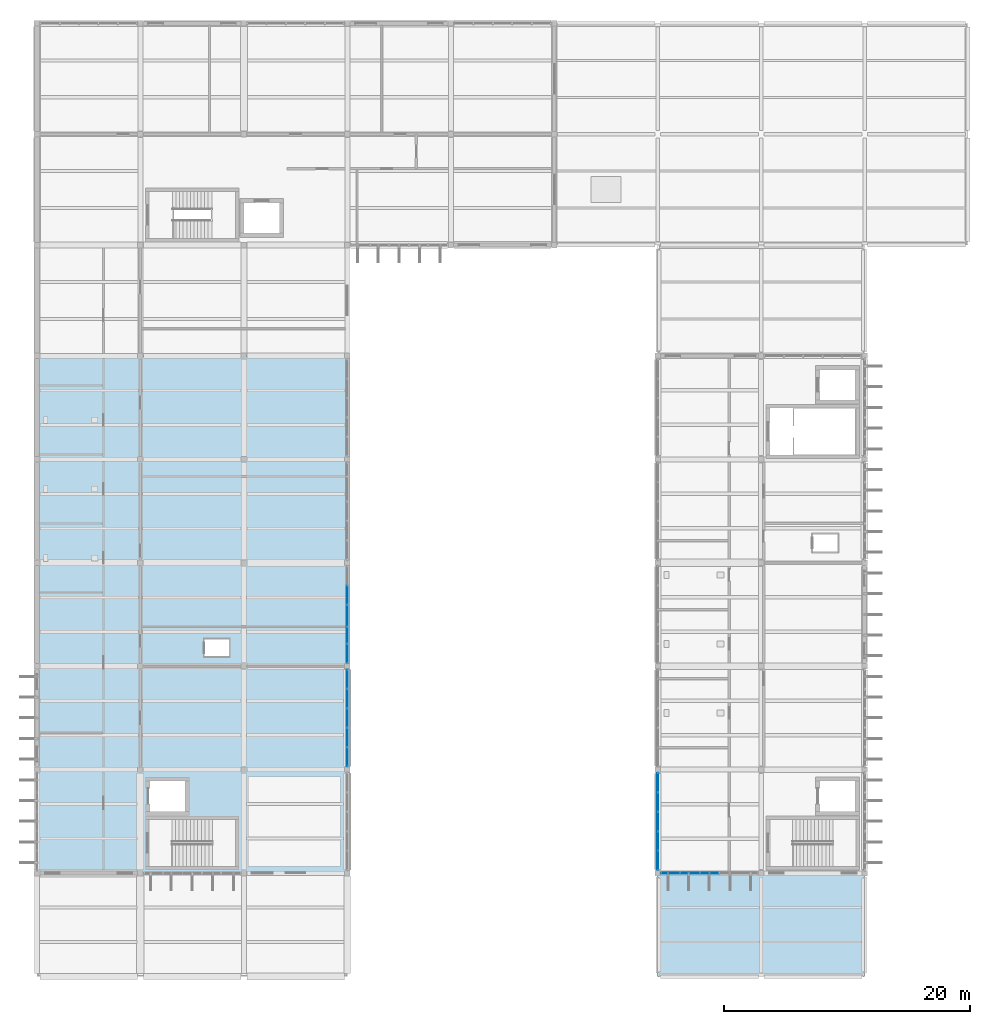
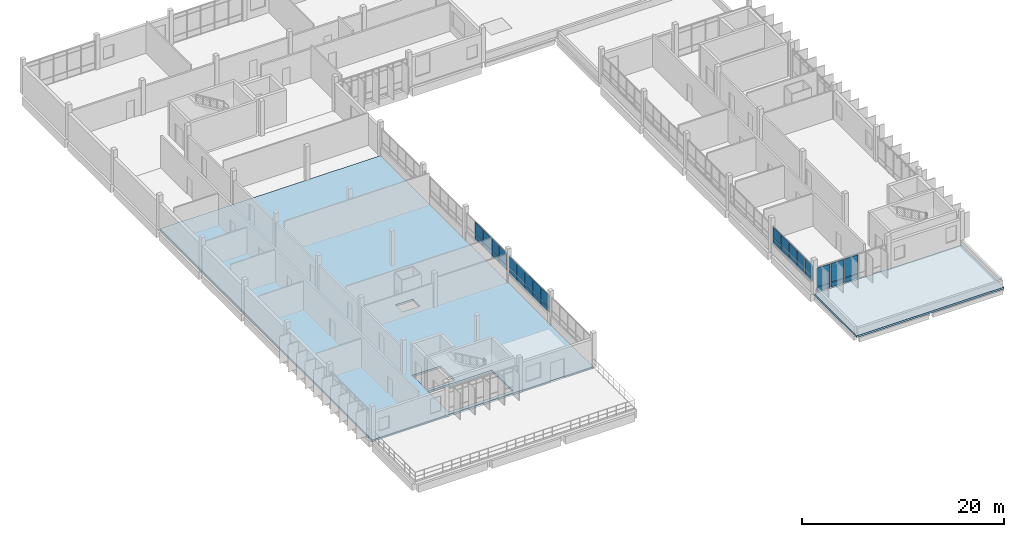
# One storey, part 44 of 62: 34 plates, 2 slabs, 3 openings, 4 elements without a shape of their own.
"""IFC4 building model written with IfcOpenShell, lengths in metres."""

import ifcopenshell
import ifcopenshell.guid

model = None  # the IFC model being written
_history = None  # IfcOwnerHistory: only IFC2X3 demands one
_inside = {}  # id of a spatial element -> (the spatial element, [elements in it])
_under = {}  # id of a project, library or spatial element -> (it, [spatial elements below it])
_declared = {}  # id of a project -> (the project, [libraries it declares])
_typed = {}  # id of a type object -> (the type object, [elements of that type])
_made_of = {}  # id of a material, layer set ... -> (it, [elements and type objects made of it])


def new_model(schema):
    """Start an empty IFC model of exactly this schema.

    Asked for "IFC4X3", IfcOpenShell would pick the latest addendum, in which some entities
    have other attributes; the version numbers below select the first issue.
    IFC2X3 requires an IfcOwnerHistory on every rooted entity: one is made here for all.
    """
    global model, _history
    if schema == "IFC4X3":
        model = ifcopenshell.file(schema_version=(4, 3, 0, 0))
    else:
        model = ifcopenshell.file(schema=schema)
    _inside.clear()
    _under.clear()
    _declared.clear()
    _typed.clear()
    _made_of.clear()
    _history = None
    if model.schema == "IFC2X3":
        org = make("IfcOrganization", Name="unknown")
        user = make(
            "IfcPersonAndOrganization",
            ThePerson=make("IfcPerson", FamilyName="unknown"),
            TheOrganization=org,
        )
        app = make(
            "IfcApplication",
            ApplicationDeveloper=org,
            Version="unknown",
            ApplicationFullName="unknown",
            ApplicationIdentifier="unknown",
        )
        _history = make(
            "IfcOwnerHistory",
            OwningUser=user,
            OwningApplication=app,
            ChangeAction="ADDED",
            CreationDate=0,
        )
    return model


def make(cls, **values):
    """One entity of the class cls with the attributes given. An attribute that is None is left unset."""
    return model.create_entity(
        cls, **{name: value for name, value in values.items() if value is not None}
    )


def rooted(cls, **values):
    """An entity with a GlobalId (a new one), such as an element, a storey or a relation."""
    return make(cls, GlobalId=ifcopenshell.guid.new(), OwnerHistory=_history, **values)


def si_unit(unit_type, name, prefix=None):
    """IfcSIUnit, for example si_unit("LENGTHUNIT", "METRE", prefix="MILLI")."""
    return make("IfcSIUnit", UnitType=unit_type, Prefix=prefix, Name=name)


def assignment(units):
    """IfcUnitAssignment: the units of a project."""
    return None if units is None else make("IfcUnitAssignment", Units=units)


def point(xyz):
    """IfcCartesianPoint."""
    return None if xyz is None else make("IfcCartesianPoint", Coordinates=xyz)


def direction(xyz):
    """IfcDirection."""
    return None if xyz is None else make("IfcDirection", DirectionRatios=xyz)


def frame(location, z_axis=None, x_axis=None):
    """IfcAxis2Placement3D, a coordinate frame: its origin and axes. An axis left out is left unset."""
    return make(
        "IfcAxis2Placement3D",
        Location=point(location),
        Axis=direction(z_axis),
        RefDirection=direction(x_axis),
    )


def frame_2d(location, x_axis=None):
    """IfcAxis2Placement2D, a coordinate frame in the plane: its origin and x axis."""
    return make(
        "IfcAxis2Placement2D", Location=point(location), RefDirection=direction(x_axis)
    )


def origin():
    """The frame at (0, 0, 0) with its axes left unset."""
    return frame((0.0, 0.0, 0.0))


def origin_2d():
    """The frame at (0, 0) in the plane with its x axis left unset."""
    return frame_2d((0.0, 0.0))


def place(relative_to, where):
    """IfcLocalPlacement: puts the frame where relative to a parent placement (None: the world)."""
    return make(
        "IfcLocalPlacement", PlacementRelTo=relative_to, RelativePlacement=where
    )


def context(
    kind, dimensions, precision=None, world=None, true_north=None, identifier=None
):
    """IfcGeometricRepresentationContext, for example the 3D "Model" context."""
    return make(
        "IfcGeometricRepresentationContext",
        ContextIdentifier=identifier,
        ContextType=kind,
        CoordinateSpaceDimension=dimensions,
        Precision=precision,
        WorldCoordinateSystem=world,
        TrueNorth=true_north,
    )


def subcontext(parent, identifier, kind, view, scale=None):
    """IfcGeometricRepresentationSubContext, for example "Body" below "Model"."""
    return make(
        "IfcGeometricRepresentationSubContext",
        ContextIdentifier=identifier,
        ContextType=kind,
        ParentContext=parent,
        TargetScale=scale,
        TargetView=view,
    )


def project(units=None, contexts=None):
    """IfcProject with its units and contexts."""
    return rooted(
        "IfcProject",
        Name="project",
        RepresentationContexts=contexts,
        UnitsInContext=assignment(units),
    )


def spatial(cls, under=None, at=None, **own):
    """A site, building, storey or space (cls), placed at a placement, below another one or the project."""
    s = rooted(cls, ObjectPlacement=at, **own)
    if under is not None:
        _under.setdefault(under.id(), (under, []))[1].append(s)
    return s


def polyline(points):
    """IfcPolyline through the points."""
    return make("IfcPolyline", Points=[point(p) for p in points])


def profile(cls, at=None, kind="AREA", **sizes):
    """A parametric profile (cls). Its sizes go by their IFC names, for example OverallWidth=200.0."""
    return make(cls, ProfileType=kind, Position=at, **sizes)


def rectangle(**sizes):
    """IfcRectangleProfileDef."""
    return profile("IfcRectangleProfileDef", **sizes)


def outline(outer, holes=None, kind="AREA"):
    """IfcArbitraryClosedProfileDef: a profile drawn as a closed curve; with holes, ...WithVoids."""
    if holes is None:
        return make("IfcArbitraryClosedProfileDef", ProfileType=kind, OuterCurve=outer)
    return make(
        "IfcArbitraryProfileDefWithVoids",
        ProfileType=kind,
        OuterCurve=outer,
        InnerCurves=holes,
    )


def extrude(swept, where, along, depth):
    """IfcExtrudedAreaSolid: the profile swept, set in the frame where, extruded along a direction by depth."""
    return make(
        "IfcExtrudedAreaSolid",
        SweptArea=swept,
        Position=where,
        ExtrudedDirection=direction(along),
        Depth=depth,
    )


def shape(context_of_items, identifier, shape_type, items):
    """IfcShapeRepresentation: the items that make up one representation, for example the "Body"."""
    return make(
        "IfcShapeRepresentation",
        ContextOfItems=context_of_items,
        RepresentationIdentifier=identifier,
        RepresentationType=shape_type,
        Items=items,
    )


def material(Name=None, Category=None):
    """IfcMaterial."""
    return make("IfcMaterial", Name=Name, Category=Category)


def layer(
    of_material, thickness, ventilated=None, Name=None, Category=None, Priority=None
):
    """IfcMaterialLayer: one layer of a wall or slab, of a material (None: an air gap)."""
    return make(
        "IfcMaterialLayer",
        Material=of_material,
        LayerThickness=thickness,
        IsVentilated=ventilated,
        Name=Name,
        Category=Category,
        Priority=Priority,
    )


def layer_set(layers, Name=None):
    """IfcMaterialLayerSet."""
    return make("IfcMaterialLayerSet", MaterialLayers=layers, LayerSetName=Name)


def made_of(thing, what):
    """Note that an element or type object is made of a material, layer set ...; save() writes the relation."""
    if what is not None:
        _made_of.setdefault(what.id(), (what, []))[1].append(thing)
    return thing


def type_object(cls, material=None, **own):
    """A type object (cls), such as IfcWallType, which elements share."""
    return made_of(rooted(cls, **own), material)


def element(
    cls,
    number,
    at=None,
    inside=None,
    cuts=None,
    type_object=None,
    material=None,
    context=None,
    identifier="Body",
    shape_type=None,
    held_by="IfcProductDefinitionShape",
    body=None,
    shapes=None,
    **own,
):
    """One element of the class cls, such as IfcWall. Its Tag is "e" and its number.

    at: its placement. inside: the storey or other place that contains it. cuts: it is an
    opening in that element (IfcRelVoidsElement). A single representation is given by context,
    identifier, shape_type and body (its items); several are given by shapes. held_by: the class
    of the entity that holds the representations. save() writes the other relations.
    """
    e = rooted(cls, Tag="e%d" % number, ObjectPlacement=at, **own)
    if body is not None:
        shapes = [shape(context, identifier, shape_type, body)]
    if shapes is not None:
        e.Representation = make(held_by, Representations=shapes)
    if inside is not None:
        _inside.setdefault(inside.id(), (inside, []))[1].append(e)
    if cuts is not None:
        rooted(
            "IfcRelVoidsElement", RelatingBuildingElement=cuts, RelatedOpeningElement=e
        )
    if type_object is not None:
        _typed.setdefault(type_object.id(), (type_object, []))[1].append(e)
    return made_of(e, material)


def aggregate(whole, parts):
    """IfcRelAggregates: a whole, such as a stair, and the parts it consists of."""
    return rooted("IfcRelAggregates", RelatingObject=whole, RelatedObjects=parts)


def save(model, path):
    """Write the relations noted so far, then the file.

    IfcRelAggregates (storeys below a building ...), IfcRelContainedInSpatialStructure (elements
    in a storey), IfcRelDefinesByType, IfcRelAssociatesMaterial and IfcRelDeclares: one each for
    every whole, place, type object, material and project.
    """
    for whole, parts in _under.values():
        aggregate(whole, parts)
    for where, things in _inside.values():
        rooted(
            "IfcRelContainedInSpatialStructure",
            RelatedElements=things,
            RelatingStructure=where,
        )
    for kind, things in _typed.values():
        rooted("IfcRelDefinesByType", RelatedObjects=things, RelatingType=kind)
    for what, things in _made_of.values():
        rooted("IfcRelAssociatesMaterial", RelatedObjects=things, RelatingMaterial=what)
    for by, libraries in _declared.values():
        rooted("IfcRelDeclares", RelatingContext=by, RelatedDefinitions=libraries)
    model.write(path)


model = new_model("IFC4")

# Units and contexts
model_context = context("Model", 3, precision=1e-05, world=origin(), true_north=direction((0.0, 1.0)))
body_context = subcontext(model_context, "Body", "Model", "MODEL_VIEW")
ifc_project = project(units=[si_unit("LENGTHUNIT", "METRE"), si_unit("AREAUNIT", "SQUARE_METRE"), si_unit("VOLUMEUNIT", "CUBIC_METRE"), si_unit("PLANEANGLEUNIT", "RADIAN"), si_unit("MASSUNIT", "GRAM", prefix="KILO")], contexts=[model_context])

# Site, building, storey
site_placement = place(None, origin())
site = spatial("IfcSite", under=ifc_project, at=site_placement, CompositionType="ELEMENT")
building_placement = place(site_placement, origin())
building = spatial("IfcBuilding", under=site, at=building_placement, Name="Vireocrest Preparatory School", CompositionType="ELEMENT")
storey_placement = place(building_placement, frame((0.0, 0.0, 17.39990234375)))
storey = spatial("IfcBuildingStorey", under=building, at=storey_placement, Name="L04", CompositionType="ELEMENT", Elevation=17.39990234375)

# Curtain wall, plates
ifc_material_1 = material(Name="Thermally broken aluminium EN AW-6063-T6", Category="aluminium")
ifc_layer_1 = layer(ifc_material_1, 0.179931640625)
ifc_layer_set_1 = layer_set([ifc_layer_1], Name="Thermally broken aluminium EN AW-6063-T6")
curtain_wall_type_1 = type_object("IfcCurtainWallType", Name="Side Facade Curtain Wall 9000x4200", PredefinedType="USERDEFINED", material=ifc_layer_set_1)
curtain_wall_1_placement = place(storey_placement, origin())
curtain_wall_1 = element("IfcCurtainWall", 1, at=curtain_wall_1_placement, inside=storey, type_object=curtain_wall_type_1, Name="Curtain Wall CW07 CW_L04_CW07_0926_0438_174", ObjectType="CURTAIN WALL", PredefinedType="USERDEFINED")
ifc_material_2 = material(Name="Insulated triple low-e tempered safety glass", Category="glass")
ifc_layer_2 = layer(ifc_material_2, 0.074951171875)
ifc_layer_set_2 = layer_set([ifc_layer_2], Name="Insulated triple low-e tempered safety glass")
plate_type_1 = type_object("IfcPlateType", Name="Acoustic Triple-Glazed Lab Curtain Panel 75", PredefinedType="CURTAIN_PANEL", material=ifc_layer_set_2)
plate_1_placement = place(storey_placement, frame((93.447998046875, 43.800048828125, 0.127685546875), z_axis=(0.0, 0.0, 1.0), x_axis=(1.0, 0.0, 0.0)))
plate_1 = element("IfcPlate", 2, at=plate_1_placement, type_object=plate_type_1, Name="CW Panel GL2 CW_L04_CW07_0926_0438_174-1-1", PredefinedType="CURTAIN_PANEL", context=body_context, shape_type="SweptSolid", body=[
    extrude(rectangle(XDim=1.510986328125, YDim=0.074951171875, at=origin_2d()), origin(), (0.0, 0.0, 1.0), 0.5400390625),
])
plate_2_placement = place(storey_placement, frame((93.447998046875, 43.800048828125, 0.732421875), z_axis=(0.0, 0.0, 1.0), x_axis=(1.0, 0.0, 0.0)))
plate_2 = element("IfcPlate", 3, at=plate_2_placement, type_object=plate_type_1, Name="CW Panel GL2 CW_L04_CW07_0926_0438_174-1-2", PredefinedType="CURTAIN_PANEL", context=body_context, shape_type="SweptSolid", body=[
    extrude(rectangle(XDim=1.510986328125, YDim=0.074951171875, at=origin_2d()), origin(), (0.0, 0.0, 1.0), 2.239990234375),
])
plate_3_placement = place(storey_placement, frame((95.02392578125, 43.800048828125, 0.127685546875), z_axis=(0.0, 0.0, 1.0), x_axis=(1.0, 0.0, 0.0)))
plate_3 = element("IfcPlate", 4, at=plate_3_placement, type_object=plate_type_1, Name="CW Panel GL2 CW_L04_CW07_0926_0438_174-2-1", PredefinedType="CURTAIN_PANEL", context=body_context, shape_type="SweptSolid", body=[
    extrude(rectangle(XDim=1.510986328125, YDim=0.074951171875, at=origin_2d()), origin(), (0.0, 0.0, 1.0), 0.5400390625),
])
plate_4_placement = place(storey_placement, frame((95.02392578125, 43.800048828125, 0.732421875), z_axis=(0.0, 0.0, 1.0), x_axis=(1.0, 0.0, 0.0)))
plate_4 = element("IfcPlate", 5, at=plate_4_placement, type_object=plate_type_1, Name="CW Panel GL2 CW_L04_CW07_0926_0438_174-2-2", PredefinedType="CURTAIN_PANEL", context=body_context, shape_type="SweptSolid", body=[
    extrude(rectangle(XDim=1.510986328125, YDim=0.074951171875, at=origin_2d()), origin(), (0.0, 0.0, 1.0), 2.239990234375),
])
plate_5_placement = place(storey_placement, frame((96.60009765625, 43.800048828125, 0.127685546875), z_axis=(0.0, 0.0, 1.0), x_axis=(1.0, 0.0, 0.0)))
plate_5 = element("IfcPlate", 6, at=plate_5_placement, type_object=plate_type_1, Name="CW Panel GL2 CW_L04_CW07_0926_0438_174-3-1", PredefinedType="CURTAIN_PANEL", context=body_context, shape_type="SweptSolid", body=[
    extrude(rectangle(XDim=1.510986328125, YDim=0.074951171875, at=origin_2d()), origin(), (0.0, 0.0, 1.0), 0.5400390625),
])
plate_6_placement = place(storey_placement, frame((96.60009765625, 43.800048828125, 0.732421875), z_axis=(0.0, 0.0, 1.0), x_axis=(1.0, 0.0, 0.0)))
plate_6 = element("IfcPlate", 7, at=plate_6_placement, type_object=plate_type_1, Name="CW Panel GL2 CW_L04_CW07_0926_0438_174-3-2", PredefinedType="CURTAIN_PANEL", context=body_context, shape_type="SweptSolid", body=[
    extrude(rectangle(XDim=1.510986328125, YDim=0.074951171875, at=origin_2d()), origin(), (0.0, 0.0, 1.0), 2.239990234375),
])
aggregate(curtain_wall_1, [plate_1, plate_2, plate_3, plate_4, plate_5, plate_6])

# Slab, openings
ifc_material_3 = material(Name="Concrete 40 MPa", Category="concrete")
ifc_layer_3 = layer(ifc_material_3, 0.239990234375)
ifc_layer_set_3 = layer_set([ifc_layer_3], Name="Concrete 40 MPa")
slab_type_1 = type_object("IfcSlabType", Name="Classroom Suspended RC Floor Slab 240", PredefinedType="FLOOR", material=ifc_layer_set_3)
slab_1_placement = place(storey_placement, frame((0.0, 0.0, -0.239990234375)))
slab_1 = element("IfcSlab", 8, at=slab_1_placement, inside=storey, type_object=slab_type_1, Name="Slab L04_WEST_BAR", PredefinedType="FLOOR", context=body_context, shape_type="SweptSolid", body=[
    extrude(outline(polyline([(42.0, 43.800048828125), (67.199951171875, 43.800048828125), (67.199951171875, 85.800048828125), (42.0, 85.800048828125), (42.0, 43.800048828125)])), origin(), (0.0, 0.0, 1.0), 0.239990234375),
])
opening_1_placement = place(slab_1_placement, frame((0.0, 0.0, -0.010009765625)))
element("IfcOpeningElement", 9, at=opening_1_placement, cuts=slab_1, Name="Slab Opening SLAB_L04_WEST_BAR-1", PredefinedType="OPENING", context=body_context, shape_type="SweptSolid", body=[
    extrude(outline(polyline([(50.949951171875, 44.199951171875), (58.25, 44.199951171875), (58.25, 48.300048828125), (50.949951171875, 48.300048828125), (50.949951171875, 44.199951171875)])), origin(), (0.0, 0.0, 1.0), 0.260009765625),
])
opening_2_placement = place(slab_1_placement, frame((0.0, 0.0, -0.010009765625)))
element("IfcOpeningElement", 10, at=opening_2_placement, cuts=slab_1, Name="Slab Opening SLAB_L04_WEST_BAR-2", PredefinedType="OPENING", context=body_context, shape_type="SweptSolid", body=[
    extrude(outline(polyline([(51.0, 48.64990234375), (54.199951171875, 48.64990234375), (54.199951171875, 51.449951171875), (51.0, 51.449951171875), (51.0, 48.64990234375)])), origin(), (0.0, 0.0, 1.0), 0.260009765625),
])
opening_3_placement = place(slab_1_placement, frame((0.0, 0.0, -0.010009765625)))
element("IfcOpeningElement", 11, at=opening_3_placement, cuts=slab_1, Name="Slab Opening SLAB_L04_WEST_BAR-3", PredefinedType="OPENING", context=body_context, shape_type="SweptSolid", body=[
    extrude(outline(polyline([(55.60009765625, 61.39990234375), (57.60009765625, 61.39990234375), (57.60009765625, 62.800048828125), (55.60009765625, 62.800048828125), (55.60009765625, 61.39990234375)])), origin(), (0.0, 0.0, 1.0), 0.260009765625),
])

# Slab
ifc_layer_4 = layer(ifc_material_3, 0.219970703125)
ifc_layer_set_4 = layer_set([ifc_layer_4], Name="Concrete 40 MPa")
slab_type_2 = type_object("IfcSlabType", Name="Insulated Flat Concrete Roof Slab 220", PredefinedType="ROOF", material=ifc_layer_set_4)
slab_2_placement = place(storey_placement, frame((0.0, 0.0, -0.219970703125)))
element("IfcSlab", 12, at=slab_2_placement, inside=storey, type_object=slab_type_2, Name="Slab L04_EAST_SETBACK_ROOF", PredefinedType="ROOF", context=body_context, shape_type="SweptSolid", body=[
    extrude(outline(polyline([(92.39990234375, 35.39990234375), (109.199951171875, 35.39990234375), (109.199951171875, 43.800048828125), (92.39990234375, 43.800048828125), (92.39990234375, 35.39990234375)])), origin(), (0.0, 0.0, 1.0), 0.219970703125),
])

# Curtain wall, plates
ifc_layer_5 = layer(ifc_material_1, 0.179931640625)
ifc_layer_set_5 = layer_set([ifc_layer_5], Name="Thermally broken aluminium EN AW-6063-T6")
curtain_wall_type_2 = type_object("IfcCurtainWallType", Name="Court Banded Curtain Wall 8400x3000", PredefinedType="USERDEFINED", material=ifc_layer_set_5)
curtain_wall_2_placement = place(storey_placement, origin())
curtain_wall_2 = element("IfcCurtainWall", 13, at=curtain_wall_2_placement, inside=storey, type_object=curtain_wall_type_2, Name="Curtain Wall CW02 CW_L04_CW02_0672_0524_186", ObjectType="CURTAIN WALL", PredefinedType="USERDEFINED")
ifc_layer_6 = layer(ifc_material_2, 0.06005859375)
ifc_layer_set_6 = layer_set([ifc_layer_6], Name="Insulated triple low-e tempered safety glass")
plate_type_2 = type_object("IfcPlateType", Name="Triple-Glazed Vision Curtain Panel 60", PredefinedType="CURTAIN_PANEL", material=ifc_layer_set_6)
plate_7_placement = place(storey_placement, frame((67.199951171875, 53.248046875, 1.277587890625), z_axis=(0.0, 0.0, 1.0), x_axis=(0.0, 1.0, 0.0)))
plate_7 = element("IfcPlate", 14, at=plate_7_placement, type_object=plate_type_2, Name="CW Panel GL1 CW_L04_CW02_0672_0524_186-1-1", PredefinedType="CURTAIN_PANEL", context=body_context, shape_type="SweptSolid", body=[
    extrude(rectangle(XDim=1.510986328125, YDim=0.06005859375, at=origin_2d()), origin(), (0.0, 0.0, 1.0), 0.5400390625),
])
plate_8_placement = place(storey_placement, frame((67.199951171875, 53.248046875, 1.882568359375), z_axis=(0.0, 0.0, 1.0), x_axis=(0.0, 1.0, 0.0)))
plate_8 = element("IfcPlate", 15, at=plate_8_placement, type_object=plate_type_2, Name="CW Panel GL1 CW_L04_CW02_0672_0524_186-1-2", PredefinedType="CURTAIN_PANEL", context=body_context, shape_type="SweptSolid", body=[
    extrude(rectangle(XDim=1.510986328125, YDim=0.06005859375, at=origin_2d()), origin(), (0.0, 0.0, 1.0), 1.43994140625),
])
plate_9_placement = place(storey_placement, frame((67.199951171875, 54.823974609375, 1.277587890625), z_axis=(0.0, 0.0, 1.0), x_axis=(0.0, 1.0, 0.0)))
plate_9 = element("IfcPlate", 16, at=plate_9_placement, type_object=plate_type_2, Name="CW Panel GL1 CW_L04_CW02_0672_0524_186-2-1", PredefinedType="CURTAIN_PANEL", context=body_context, shape_type="SweptSolid", body=[
    extrude(rectangle(XDim=1.510986328125, YDim=0.06005859375, at=origin_2d()), origin(), (0.0, 0.0, 1.0), 0.5400390625),
])
plate_10_placement = place(storey_placement, frame((67.199951171875, 54.823974609375, 1.882568359375), z_axis=(0.0, 0.0, 1.0), x_axis=(0.0, 1.0, 0.0)))
plate_10 = element("IfcPlate", 17, at=plate_10_placement, type_object=plate_type_2, Name="CW Panel GL1 CW_L04_CW02_0672_0524_186-2-2", PredefinedType="CURTAIN_PANEL", context=body_context, shape_type="SweptSolid", body=[
    extrude(rectangle(XDim=1.510986328125, YDim=0.06005859375, at=origin_2d()), origin(), (0.0, 0.0, 1.0), 1.43994140625),
])
plate_11_placement = place(storey_placement, frame((67.199951171875, 56.39990234375, 1.277587890625), z_axis=(0.0, 0.0, 1.0), x_axis=(0.0, 1.0, 0.0)))
plate_11 = element("IfcPlate", 18, at=plate_11_placement, type_object=plate_type_2, Name="CW Panel GL1 CW_L04_CW02_0672_0524_186-3-1", PredefinedType="CURTAIN_PANEL", context=body_context, shape_type="SweptSolid", body=[
    extrude(rectangle(XDim=1.510986328125, YDim=0.06005859375, at=origin_2d()), origin(), (0.0, 0.0, 1.0), 0.5400390625),
])
plate_12_placement = place(storey_placement, frame((67.199951171875, 56.39990234375, 1.882568359375), z_axis=(0.0, 0.0, 1.0), x_axis=(0.0, 1.0, 0.0)))
plate_12 = element("IfcPlate", 19, at=plate_12_placement, type_object=plate_type_2, Name="CW Panel GL1 CW_L04_CW02_0672_0524_186-3-2", PredefinedType="CURTAIN_PANEL", context=body_context, shape_type="SweptSolid", body=[
    extrude(rectangle(XDim=1.510986328125, YDim=0.06005859375, at=origin_2d()), origin(), (0.0, 0.0, 1.0), 1.43994140625),
])
plate_13_placement = place(storey_placement, frame((67.199951171875, 57.97607421875, 1.277587890625), z_axis=(0.0, 0.0, 1.0), x_axis=(0.0, 1.0, 0.0)))
plate_13 = element("IfcPlate", 20, at=plate_13_placement, type_object=plate_type_2, Name="CW Panel GL1 CW_L04_CW02_0672_0524_186-4-1", PredefinedType="CURTAIN_PANEL", context=body_context, shape_type="SweptSolid", body=[
    extrude(rectangle(XDim=1.510986328125, YDim=0.06005859375, at=origin_2d()), origin(), (0.0, 0.0, 1.0), 0.5400390625),
])
plate_14_placement = place(storey_placement, frame((67.199951171875, 57.97607421875, 1.882568359375), z_axis=(0.0, 0.0, 1.0), x_axis=(0.0, 1.0, 0.0)))
plate_14 = element("IfcPlate", 21, at=plate_14_placement, type_object=plate_type_2, Name="CW Panel GL1 CW_L04_CW02_0672_0524_186-4-2", PredefinedType="CURTAIN_PANEL", context=body_context, shape_type="SweptSolid", body=[
    extrude(rectangle(XDim=1.510986328125, YDim=0.06005859375, at=origin_2d()), origin(), (0.0, 0.0, 1.0), 1.43994140625),
])
plate_15_placement = place(storey_placement, frame((67.199951171875, 59.552001953125, 1.277587890625), z_axis=(0.0, 0.0, 1.0), x_axis=(0.0, 1.0, 0.0)))
plate_15 = element("IfcPlate", 22, at=plate_15_placement, type_object=plate_type_2, Name="CW Panel GL1 CW_L04_CW02_0672_0524_186-5-1", PredefinedType="CURTAIN_PANEL", context=body_context, shape_type="SweptSolid", body=[
    extrude(rectangle(XDim=1.510986328125, YDim=0.06005859375, at=origin_2d()), origin(), (0.0, 0.0, 1.0), 0.5400390625),
])
plate_16_placement = place(storey_placement, frame((67.199951171875, 59.552001953125, 1.882568359375), z_axis=(0.0, 0.0, 1.0), x_axis=(0.0, 1.0, 0.0)))
plate_16 = element("IfcPlate", 23, at=plate_16_placement, type_object=plate_type_2, Name="CW Panel GL1 CW_L04_CW02_0672_0524_186-5-2", PredefinedType="CURTAIN_PANEL", context=body_context, shape_type="SweptSolid", body=[
    extrude(rectangle(XDim=1.510986328125, YDim=0.06005859375, at=origin_2d()), origin(), (0.0, 0.0, 1.0), 1.43994140625),
])
aggregate(curtain_wall_2, [plate_7, plate_8, plate_9, plate_10, plate_11, plate_12, plate_13, plate_14, plate_15, plate_16])

curtain_wall_3_placement = place(storey_placement, origin())
curtain_wall_3 = element("IfcCurtainWall", 24, at=curtain_wall_3_placement, inside=storey, type_object=curtain_wall_type_2, Name="Curtain Wall CW02 CW_L04_CW02_0672_0608_186", ObjectType="CURTAIN WALL", PredefinedType="USERDEFINED")
plate_17_placement = place(storey_placement, frame((67.199951171875, 61.64794921875, 1.277587890625), z_axis=(0.0, 0.0, 1.0), x_axis=(0.0, 1.0, 0.0)))
plate_17 = element("IfcPlate", 25, at=plate_17_placement, type_object=plate_type_2, Name="CW Panel GL1 CW_L04_CW02_0672_0608_186-1-1", PredefinedType="CURTAIN_PANEL", context=body_context, shape_type="SweptSolid", body=[
    extrude(rectangle(XDim=1.510986328125, YDim=0.06005859375, at=origin_2d()), origin(), (0.0, 0.0, 1.0), 0.5400390625),
])
plate_18_placement = place(storey_placement, frame((67.199951171875, 61.64794921875, 1.8828125), z_axis=(0.0, 0.0, 1.0), x_axis=(0.0, 1.0, 0.0)))
plate_18 = element("IfcPlate", 26, at=plate_18_placement, type_object=plate_type_2, Name="CW Panel GL1 CW_L04_CW02_0672_0608_186-1-2", PredefinedType="CURTAIN_PANEL", context=body_context, shape_type="SweptSolid", body=[
    extrude(rectangle(XDim=1.510986328125, YDim=0.06005859375, at=origin_2d()), origin(), (0.0, 0.0, 1.0), 1.489990234375),
])
plate_19_placement = place(storey_placement, frame((67.199951171875, 63.117919921875, 1.277587890625), z_axis=(0.0, 0.0, 1.0), x_axis=(0.0, 1.0, 0.0)))
plate_19 = element("IfcPlate", 27, at=plate_19_placement, type_object=plate_type_2, Name="CW Panel GL1 CW_L04_CW02_0672_0608_186-2-1", PredefinedType="CURTAIN_PANEL", context=body_context, shape_type="SweptSolid", body=[
    extrude(rectangle(XDim=1.299072265625, YDim=0.06005859375, at=origin_2d()), origin(), (0.0, 0.0, 1.0), 0.5400390625),
])
plate_20_placement = place(storey_placement, frame((67.199951171875, 63.117919921875, 1.8828125), z_axis=(0.0, 0.0, 1.0), x_axis=(0.0, 1.0, 0.0)))
plate_20 = element("IfcPlate", 28, at=plate_20_placement, type_object=plate_type_2, Name="CW Panel GL1 CW_L04_CW02_0672_0608_186-2-2", PredefinedType="CURTAIN_PANEL", context=body_context, shape_type="SweptSolid", body=[
    extrude(rectangle(XDim=1.299072265625, YDim=0.06005859375, at=origin_2d()), origin(), (0.0, 0.0, 1.0), 1.489990234375),
])
plate_21_placement = place(storey_placement, frame((67.199951171875, 64.694091796875, 1.277587890625), z_axis=(0.0, 0.0, 1.0), x_axis=(0.0, 1.0, 0.0)))
plate_21 = element("IfcPlate", 29, at=plate_21_placement, type_object=plate_type_2, Name="CW Panel GL1 CW_L04_CW02_0672_0608_186-3-1", PredefinedType="CURTAIN_PANEL", context=body_context, shape_type="SweptSolid", body=[
    extrude(rectangle(XDim=1.722900390625, YDim=0.06005859375, at=origin_2d()), origin(), (0.0, 0.0, 1.0), 0.5400390625),
])
plate_22_placement = place(storey_placement, frame((67.199951171875, 64.694091796875, 1.8828125), z_axis=(0.0, 0.0, 1.0), x_axis=(0.0, 1.0, 0.0)))
plate_22 = element("IfcPlate", 30, at=plate_22_placement, type_object=plate_type_2, Name="CW Panel GL1 CW_L04_CW02_0672_0608_186-3-2", PredefinedType="CURTAIN_PANEL", context=body_context, shape_type="SweptSolid", body=[
    extrude(rectangle(XDim=1.722900390625, YDim=0.06005859375, at=origin_2d()), origin(), (0.0, 0.0, 1.0), 1.489990234375),
])
plate_23_placement = place(storey_placement, frame((67.199951171875, 66.3759765625, 1.277587890625), z_axis=(0.0, 0.0, 1.0), x_axis=(0.0, 1.0, 0.0)))
plate_23 = element("IfcPlate", 31, at=plate_23_placement, type_object=plate_type_2, Name="CW Panel GL1 CW_L04_CW02_0672_0608_186-4-1", PredefinedType="CURTAIN_PANEL", context=body_context, shape_type="SweptSolid", body=[
    extrude(rectangle(XDim=1.510986328125, YDim=0.06005859375, at=origin_2d()), origin(), (0.0, 0.0, 1.0), 0.5400390625),
])
plate_24_placement = place(storey_placement, frame((67.199951171875, 66.3759765625, 1.8828125), z_axis=(0.0, 0.0, 1.0), x_axis=(0.0, 1.0, 0.0)))
plate_24 = element("IfcPlate", 32, at=plate_24_placement, type_object=plate_type_2, Name="CW Panel GL1 CW_L04_CW02_0672_0608_186-4-2", PredefinedType="CURTAIN_PANEL", context=body_context, shape_type="SweptSolid", body=[
    extrude(rectangle(XDim=1.510986328125, YDim=0.06005859375, at=origin_2d()), origin(), (0.0, 0.0, 1.0), 1.489990234375),
])
aggregate(curtain_wall_3, [plate_17, plate_18, plate_19, plate_20, plate_21, plate_22, plate_23, plate_24])

curtain_wall_4_placement = place(storey_placement, origin())
curtain_wall_4 = element("IfcCurtainWall", 33, at=curtain_wall_4_placement, inside=storey, type_object=curtain_wall_type_2, Name="Curtain Wall CW02 CW_L04_CW02_0924_0440_186", ObjectType="CURTAIN WALL", PredefinedType="USERDEFINED")
plate_25_placement = place(storey_placement, frame((92.39990234375, 44.847900390625, 1.277587890625), z_axis=(0.0, 0.0, 1.0), x_axis=(0.0, 1.0, 0.0)))
plate_25 = element("IfcPlate", 34, at=plate_25_placement, type_object=plate_type_2, Name="CW Panel GL1 CW_L04_CW02_0924_0440_186-1-1", PredefinedType="CURTAIN_PANEL", context=body_context, shape_type="SweptSolid", body=[
    extrude(rectangle(XDim=1.510986328125, YDim=0.06005859375, at=origin_2d()), origin(), (0.0, 0.0, 1.0), 0.5400390625),
])
plate_26_placement = place(storey_placement, frame((92.39990234375, 44.847900390625, 1.882568359375), z_axis=(0.0, 0.0, 1.0), x_axis=(0.0, 1.0, 0.0)))
plate_26 = element("IfcPlate", 35, at=plate_26_placement, type_object=plate_type_2, Name="CW Panel GL1 CW_L04_CW02_0924_0440_186-1-2", PredefinedType="CURTAIN_PANEL", context=body_context, shape_type="SweptSolid", body=[
    extrude(rectangle(XDim=1.510986328125, YDim=0.06005859375, at=origin_2d()), origin(), (0.0, 0.0, 1.0), 1.2900390625),
])
plate_27_placement = place(storey_placement, frame((92.39990234375, 46.424072265625, 1.277587890625), z_axis=(0.0, 0.0, 1.0), x_axis=(0.0, 1.0, 0.0)))
plate_27 = element("IfcPlate", 36, at=plate_27_placement, type_object=plate_type_2, Name="CW Panel GL1 CW_L04_CW02_0924_0440_186-2-1", PredefinedType="CURTAIN_PANEL", context=body_context, shape_type="SweptSolid", body=[
    extrude(rectangle(XDim=1.510986328125, YDim=0.06005859375, at=origin_2d()), origin(), (0.0, 0.0, 1.0), 0.5400390625),
])
plate_28_placement = place(storey_placement, frame((92.39990234375, 46.424072265625, 1.882568359375), z_axis=(0.0, 0.0, 1.0), x_axis=(0.0, 1.0, 0.0)))
plate_28 = element("IfcPlate", 37, at=plate_28_placement, type_object=plate_type_2, Name="CW Panel GL1 CW_L04_CW02_0924_0440_186-2-2", PredefinedType="CURTAIN_PANEL", context=body_context, shape_type="SweptSolid", body=[
    extrude(rectangle(XDim=1.510986328125, YDim=0.06005859375, at=origin_2d()), origin(), (0.0, 0.0, 1.0), 1.2900390625),
])
plate_29_placement = place(storey_placement, frame((92.39990234375, 48.0, 1.277587890625), z_axis=(0.0, 0.0, 1.0), x_axis=(0.0, 1.0, 0.0)))
plate_29 = element("IfcPlate", 38, at=plate_29_placement, type_object=plate_type_2, Name="CW Panel GL1 CW_L04_CW02_0924_0440_186-3-1", PredefinedType="CURTAIN_PANEL", context=body_context, shape_type="SweptSolid", body=[
    extrude(rectangle(XDim=1.510986328125, YDim=0.06005859375, at=origin_2d()), origin(), (0.0, 0.0, 1.0), 0.5400390625),
])
plate_30_placement = place(storey_placement, frame((92.39990234375, 48.0, 1.882568359375), z_axis=(0.0, 0.0, 1.0), x_axis=(0.0, 1.0, 0.0)))
plate_30 = element("IfcPlate", 39, at=plate_30_placement, type_object=plate_type_2, Name="CW Panel GL1 CW_L04_CW02_0924_0440_186-3-2", PredefinedType="CURTAIN_PANEL", context=body_context, shape_type="SweptSolid", body=[
    extrude(rectangle(XDim=1.510986328125, YDim=0.06005859375, at=origin_2d()), origin(), (0.0, 0.0, 1.0), 1.2900390625),
])
plate_31_placement = place(storey_placement, frame((92.39990234375, 49.575927734375, 1.277587890625), z_axis=(0.0, 0.0, 1.0), x_axis=(0.0, 1.0, 0.0)))
plate_31 = element("IfcPlate", 40, at=plate_31_placement, type_object=plate_type_2, Name="CW Panel GL1 CW_L04_CW02_0924_0440_186-4-1", PredefinedType="CURTAIN_PANEL", context=body_context, shape_type="SweptSolid", body=[
    extrude(rectangle(XDim=1.510986328125, YDim=0.06005859375, at=origin_2d()), origin(), (0.0, 0.0, 1.0), 0.5400390625),
])
plate_32_placement = place(storey_placement, frame((92.39990234375, 49.575927734375, 1.882568359375), z_axis=(0.0, 0.0, 1.0), x_axis=(0.0, 1.0, 0.0)))
plate_32 = element("IfcPlate", 41, at=plate_32_placement, type_object=plate_type_2, Name="CW Panel GL1 CW_L04_CW02_0924_0440_186-4-2", PredefinedType="CURTAIN_PANEL", context=body_context, shape_type="SweptSolid", body=[
    extrude(rectangle(XDim=1.510986328125, YDim=0.06005859375, at=origin_2d()), origin(), (0.0, 0.0, 1.0), 1.2900390625),
])
plate_33_placement = place(storey_placement, frame((92.39990234375, 51.152099609375, 1.277587890625), z_axis=(0.0, 0.0, 1.0), x_axis=(0.0, 1.0, 0.0)))
plate_33 = element("IfcPlate", 42, at=plate_33_placement, type_object=plate_type_2, Name="CW Panel GL1 CW_L04_CW02_0924_0440_186-5-1", PredefinedType="CURTAIN_PANEL", context=body_context, shape_type="SweptSolid", body=[
    extrude(rectangle(XDim=1.510986328125, YDim=0.06005859375, at=origin_2d()), origin(), (0.0, 0.0, 1.0), 0.5400390625),
])
plate_34_placement = place(storey_placement, frame((92.39990234375, 51.152099609375, 1.882568359375), z_axis=(0.0, 0.0, 1.0), x_axis=(0.0, 1.0, 0.0)))
plate_34 = element("IfcPlate", 43, at=plate_34_placement, type_object=plate_type_2, Name="CW Panel GL1 CW_L04_CW02_0924_0440_186-5-2", PredefinedType="CURTAIN_PANEL", context=body_context, shape_type="SweptSolid", body=[
    extrude(rectangle(XDim=1.510986328125, YDim=0.06005859375, at=origin_2d()), origin(), (0.0, 0.0, 1.0), 1.2900390625),
])
aggregate(curtain_wall_4, [plate_25, plate_26, plate_27, plate_28, plate_29, plate_30, plate_31, plate_32, plate_33, plate_34])

save(model, "model.ifc")
